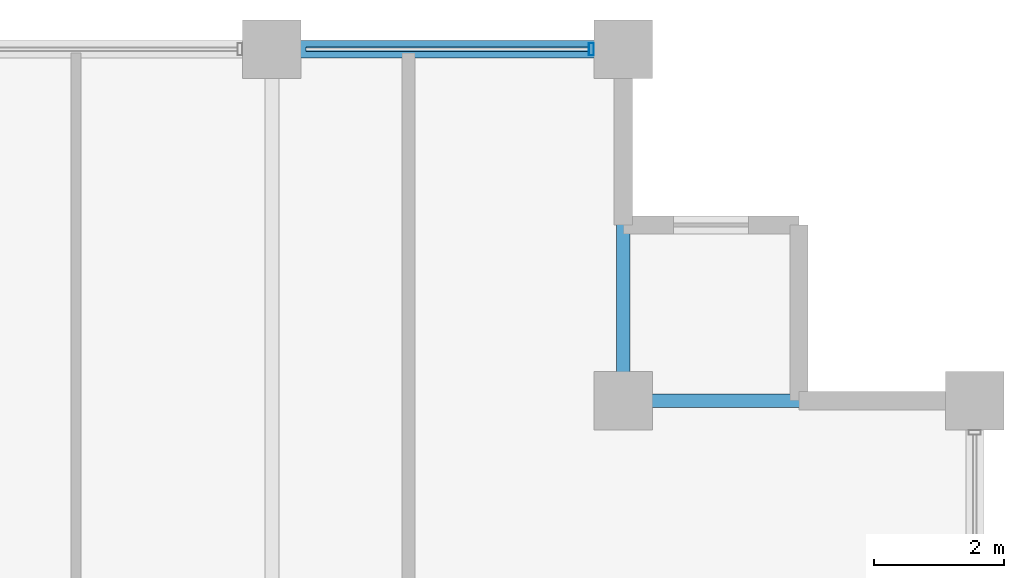
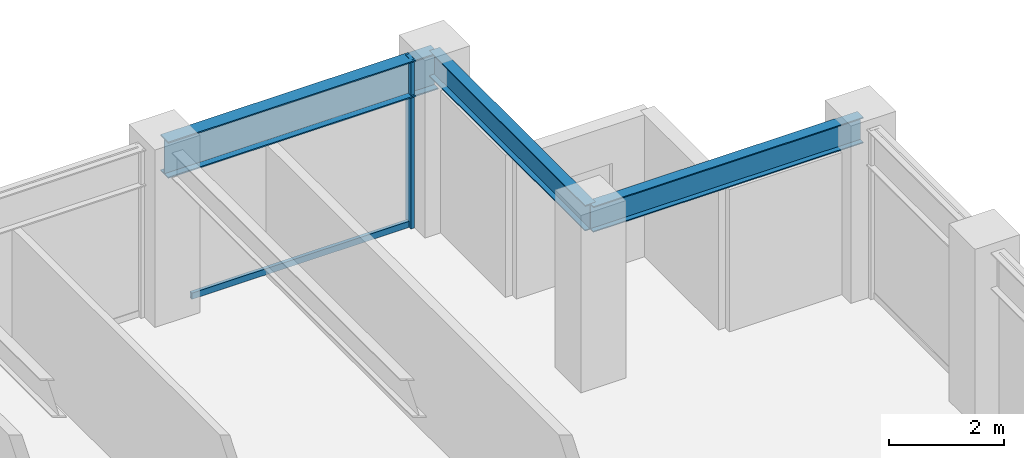
# One storey, part 24 of 32: 3 beams, 2 members, 1 element without a shape of its own.
"""IFC4 building model written with IfcOpenShell, lengths in metres."""

from ifc_helpers import new_model, si_unit, direction, frame, origin, origin_2d, place, context, subcontext, project, spatial, hollow_rectangle, i_section, extrude, material, layer, layer_set, material_profile, profile_set, type_object, element, aggregate, save


model = new_model("IFC4")

# Units and contexts
model_context = context("Model", 3, precision=1e-05, world=origin(), true_north=direction((0.0, 1.0)))
body_context = subcontext(model_context, "Body", "Model", "MODEL_VIEW")
ifc_project = project(units=[si_unit("LENGTHUNIT", "METRE"), si_unit("AREAUNIT", "SQUARE_METRE"), si_unit("VOLUMEUNIT", "CUBIC_METRE"), si_unit("PLANEANGLEUNIT", "RADIAN"), si_unit("MASSUNIT", "GRAM", prefix="KILO")], contexts=[model_context])

# Site, building, storey
site_placement = place(None, origin())
site = spatial("IfcSite", under=ifc_project, at=site_placement, CompositionType="ELEMENT")
building_placement = place(site_placement, origin())
building = spatial("IfcBuilding", under=site, at=building_placement, Name="Surkhivell Harbour Commons", CompositionType="ELEMENT")
storey_placement = place(building_placement, frame((0.0, 0.0, 197.25)))
storey = spatial("IfcBuildingStorey", under=building, at=storey_placement, Name="L51", CompositionType="ELEMENT", Elevation=197.25)

# Beams
ifc_material_1 = material(Name="Steel S355", Category="steel")
ifc_material_profile_1 = material_profile(ifc_material_1, i_section(OverallWidth=0.2119140625, OverallDepth=0.5439453125, WebThickness=0.0126953125, FlangeThickness=0.021240234375, at=origin_2d()), Name="UB533x210x122")
ifc_profile_set_1 = profile_set([ifc_material_profile_1], Name="Steel S355")
beam_type_1 = type_object("IfcBeamType", Name="BM-GRD-533A", PredefinedType="BEAM", material=ifc_profile_set_1)
beam_1_placement = place(storey_placement, frame((16.199951171875, 20.5, 3.298095703125), z_axis=(0.0, 1.0, 0.0), x_axis=(-1.0, 0.0, 0.0)))
element("IfcBeam", 1, at=beam_1_placement, inside=storey, type_object=beam_type_1, Name="L51 Floor Girder (16.2,20.5)", PredefinedType="BEAM", context=body_context, shape_type="SweptSolid", body=[
    extrude(i_section(OverallWidth=0.2119140625, OverallDepth=0.5439453125, WebThickness=0.0126953125, FlangeThickness=0.021240234375, at=origin_2d()), origin(), (0.0, 0.0, 1.0), 5.39990234375),
])
beam_2_placement = place(storey_placement, frame((16.199951171875, 20.5, 3.298095703125), z_axis=(1.0, 0.0, 0.0), x_axis=(0.0, 1.0, 0.0)))
element("IfcBeam", 2, at=beam_2_placement, inside=storey, type_object=beam_type_1, Name="L51 Floor Girder (16.2,20.5)", PredefinedType="BEAM", context=body_context, shape_type="SweptSolid", body=[
    extrude(i_section(OverallWidth=0.2119140625, OverallDepth=0.5439453125, WebThickness=0.0126953125, FlangeThickness=0.021240234375, at=origin_2d()), origin(), (0.0, 0.0, 1.0), 5.400146484375),
])
ifc_material_profile_2 = material_profile(ifc_material_1, i_section(OverallWidth=0.26806640625, OverallDepth=0.77001953125, WebThickness=0.015625, FlangeThickness=0.025390625, at=origin_2d()), Name="UB762x267x197")
ifc_profile_set_2 = profile_set([ifc_material_profile_2], Name="Steel S355")
beam_type_2 = type_object("IfcBeamType", Name="BM-SPN-762", PredefinedType="SPANDREL", material=ifc_profile_set_2)
beam_3_placement = place(storey_placement, frame((10.800048828125, 25.89990234375, 3.18505859375), z_axis=(1.0, 0.0, 0.0), x_axis=(0.0, 1.0, 0.0)))
element("IfcBeam", 3, at=beam_3_placement, inside=storey, type_object=beam_type_2, Name="L51 Tube Spandrel (10.8,25.9)", PredefinedType="SPANDREL", context=body_context, shape_type="SweptSolid", body=[
    extrude(i_section(OverallWidth=0.26806640625, OverallDepth=0.77001953125, WebThickness=0.015625, FlangeThickness=0.025390625, at=origin_2d()), origin(), (0.0, 0.0, 1.0), 5.39990234375),
])

# Curtain wall, members
ifc_material_2 = material(Name="Anodised pale-metal aluminium and insulated glazing", Category="aluminium")
ifc_layer = layer(ifc_material_2, 0.18994140625)
ifc_layer_set = layer_set([ifc_layer], Name="Anodised pale-metal aluminium and insulated glazing")
curtain_wall_type = type_object("IfcCurtainWallType", Name="CW-SYS-Z3", PredefinedType="NOTDEFINED", material=ifc_layer_set)
curtain_wall_placement = place(storey_placement, origin())
curtain_wall = element("IfcCurtainWall", 4, at=curtain_wall_placement, inside=storey, type_object=curtain_wall_type, Name="L51 Curtain Wall CW-L51-E07S1", PredefinedType="NOTDEFINED")
ifc_material_3 = material(Name="Anodised pale-metal aluminium alloy 6063-T6", Category="aluminium")
ifc_material_profile_3 = material_profile(ifc_material_3, hollow_rectangle(XDim=0.074951171875, YDim=0.18994140625, WallThickness=0.00390625, at=origin_2d()), Name="ALU-MULL-75x190")
ifc_profile_set_3 = profile_set([ifc_material_profile_3], Name="Anodised pale-metal aluminium alloy 6063-T6")
member_type_1 = type_object("IfcMemberType", Name="CWM-190", PredefinedType="MULLION", material=ifc_profile_set_3)
member_1_placement = place(storey_placement, frame((15.71044921875, 25.89990234375, 0.0), z_axis=(0.0, 0.0, 1.0), x_axis=(-1.0, 0.0, 0.0)))
member_1 = element("IfcMember", 5, at=member_1_placement, type_object=member_type_1, Name="CW-Z3 mullion 1", PredefinedType="MULLION", context=body_context, shape_type="SweptSolid", body=[
    extrude(hollow_rectangle(XDim=0.074951171875, YDim=0.18994140625, WallThickness=0.00390625, at=origin_2d()), origin(), (0.0, 0.0, 1.0), 3.570068359375),
])
ifc_material_4 = material(Name="Champagne anodised aluminium alloy 6063-T6", Category="aluminium")
ifc_material_profile_4 = material_profile(ifc_material_4, hollow_rectangle(XDim=0.070068359375, YDim=0.1298828125, WallThickness=0.00341796875, at=origin_2d()), Name="ALU-TRAN-70x130")
ifc_profile_set_4 = profile_set([ifc_material_profile_4], Name="Champagne anodised aluminium alloy 6063-T6")
member_type_2 = type_object("IfcMemberType", Name="CWT-130", PredefinedType="USERDEFINED", material=ifc_profile_set_4)
member_2_placement = place(storey_placement, frame((15.673095703125, 25.89990234375, 0.06494140625), z_axis=(-1.0, 0.0, 0.0), x_axis=(0.0, -1.0, 0.0)))
member_2 = element("IfcMember", 6, at=member_2_placement, type_object=member_type_2, Name="CW-Z3 transom 1.1", ObjectType="TRANSOM", PredefinedType="USERDEFINED", context=body_context, shape_type="SweptSolid", body=[
    extrude(hollow_rectangle(XDim=0.070068359375, YDim=0.1298828125, WallThickness=0.00341796875, at=origin_2d()), origin(), (0.0, 0.0, 1.0), 4.34619140625),
])
aggregate(curtain_wall, [member_1, member_2])

save(model, "model.ifc")
